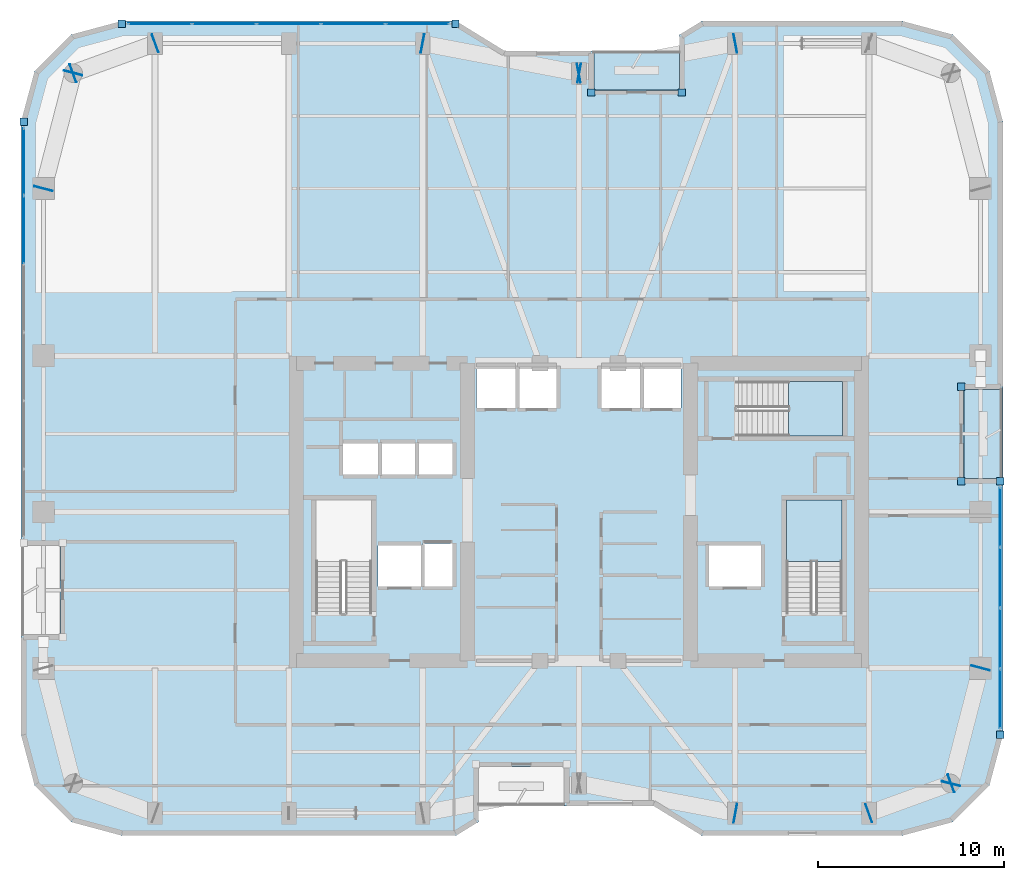
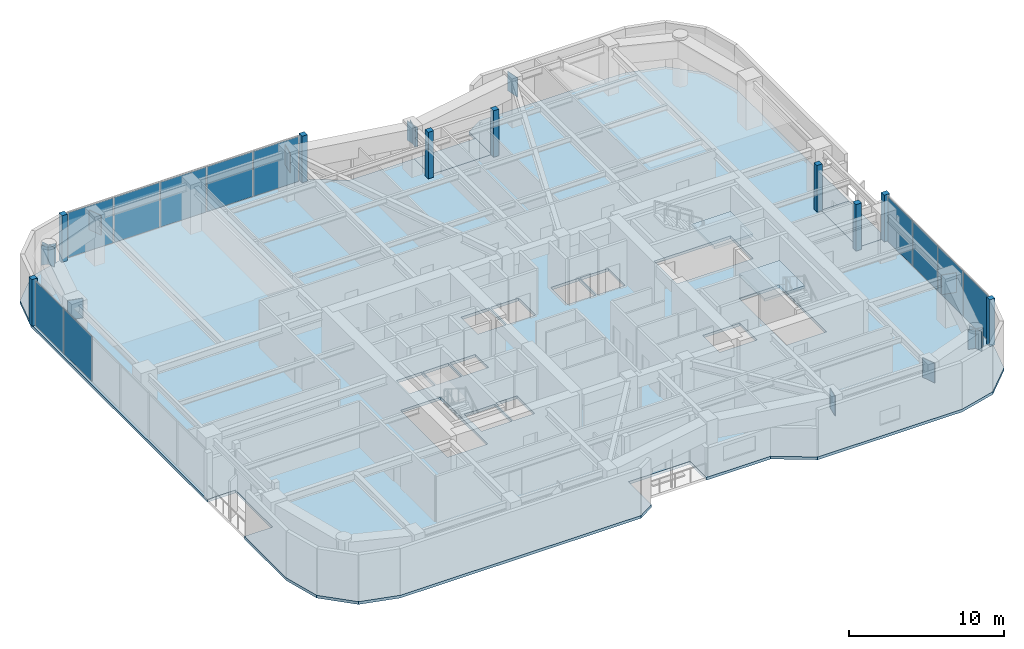
# One storey, part 22 of 30: 33 plates, 5 slabs, 5 elements without a shape of their own.
"""IFC4 building model written with IfcOpenShell, lengths in metres."""

from ifc_helpers import new_model, si_unit, direction, frame, origin, origin_2d, place, context, subcontext, project, spatial, polyline, rectangle, outline, extrude, material, layer, layer_set, type_object, element, aggregate, save


model = new_model("IFC4")

# Units and contexts
model_context = context("Model", 3, precision=1e-05, world=origin(), true_north=direction((0.0, 1.0)))
body_context = subcontext(model_context, "Body", "Model", "MODEL_VIEW")
ifc_project = project(units=[si_unit("LENGTHUNIT", "METRE"), si_unit("AREAUNIT", "SQUARE_METRE"), si_unit("VOLUMEUNIT", "CUBIC_METRE"), si_unit("PLANEANGLEUNIT", "RADIAN"), si_unit("MASSUNIT", "GRAM", prefix="KILO")], contexts=[model_context])

# Site, building, storey
site_placement = place(None, origin())
site = spatial("IfcSite", under=ifc_project, at=site_placement, CompositionType="ELEMENT")
building_placement = place(site_placement, origin())
building = spatial("IfcBuilding", under=site, at=building_placement, Name="Kiyonajd Concourse Tower", CompositionType="ELEMENT")
storey_placement = place(building_placement, frame((0.0, 0.0, 174.0)))
storey = spatial("IfcBuildingStorey", under=building, at=storey_placement, Name="L44", CompositionType="ELEMENT", Elevation=174.0)

# Plates
ifc_material_1 = material(Name="Steel ASTM A572 Grade 50", Category="steel")
ifc_layer_1 = layer(ifc_material_1, 0.031982421875)
ifc_layer_set_1 = layer_set([ifc_layer_1], Name="Steel ASTM A572 Grade 50")
plate_type_1 = type_object("IfcPlateType", Name="PL-CAP-540", PredefinedType="USERDEFINED", material=ifc_layer_set_1)
for number, where, z_axis, x_axis, name in (
    (1, (56.410888671875, 19.7978515625, 2.2099609375), (0.0, 0.0, 1.0), (0.982352599301, -0.187038420242, 0.0), "L44 Welded Box Girder End Cap"),
    (2, (63.589599609375, 19.796142578125, 2.2099609375), (0.0, 0.0, 1.0), (-0.939811951086, -0.341692107891, 0.0), "L44 Welded Box Girder End Cap"),
    (3, (68.01025390625, 21.40380859375, 2.2099609375), (0.0, 0.0, 1.0), (0.939811951086, 0.341692107891, 0.0), "L44 Welded Box Girder End Cap"),
    (4, (67.997314453125, 21.389404296875, 2.2099609375), (0.0, 0.0, 1.0), (-0.249873048837, -0.968278606324, 0.0), "L44 Welded Box Girder End Cap"),
    (5, (69.602783203125, 27.610595703125, 2.2099609375), (0.0, 0.0, 1.0), (0.249873048837, 0.968278606324, 0.0), "L44 Welded Box Girder End Cap"),
    (6, (56.410888671875, 61.2021484375, 2.2099609375), (0.0, 0.0, 1.0), (0.982352599301, 0.187038420242, 0.0), "L44 Welded Box Girder End Cap"),
    (7, (47.9892578125, 59.597900390625, 2.2099609375), (0.0, 0.0, 1.0), (-0.982352599301, -0.187038420242, 0.0), "L44 Welded Box Girder End Cap"),
    (8, (48.0107421875, 59.597900390625, 2.2099609375), (0.0, 0.0, 1.0), (0.982352599301, -0.187038420242, 0.0), "L44 Welded Box Girder End Cap"),
    (9, (39.589111328125, 61.2021484375, 2.2099609375), (0.0, 0.0, 1.0), (-0.982352599301, 0.187038420242, 0.0), "L44 Welded Box Girder End Cap"),
    (10, (25.210205078125, 61.203857421875, 2.2099609375), (0.0, 0.0, 1.0), (0.939811951086, 0.341692107891, 0.0), "L44 Welded Box Girder End Cap"),
    (11, (20.789794921875, 59.59619140625, 2.2099609375), (0.0, 0.0, 1.0), (-0.939811951086, -0.341692107891, 0.0), "L44 Welded Box Girder End Cap"),
    (12, (20.802734375, 59.610595703125, 2.2099609375), (0.0, 0.0, 1.0), (0.249873048837, 0.968278606324, 0.0), "L44 Welded Box Girder End Cap"),
    (13, (19.197265625, 53.389404296875, 2.2099609375), (0.0, 0.0, 1.0), (-0.249873048837, -0.968278606324, 0.0), "L44 Welded Box Girder End Cap"),
):
    element("IfcPlate", number, at=place(storey_placement, frame(where, z_axis=z_axis, x_axis=x_axis)), inside=storey, type_object=plate_type_1, Name=name, ObjectType="CAP PLATE", PredefinedType="USERDEFINED", context=body_context, shape_type="SweptSolid", body=[
        extrude(rectangle(XDim=0.035888671875, YDim=1.02001953125, at=origin_2d()), origin(), (0.0, 0.0, 1.0), 1.5400390625),
    ])

# Curtain wall, plates
ifc_material_2 = material(Name="Thermally Broken Anodised Aluminium", Category="aluminium")
ifc_layer_2 = layer(ifc_material_2, 0.179931640625)
ifc_layer_set_2 = layer_set([ifc_layer_2], Name="Thermally Broken Anodised Aluminium")
curtain_wall_type = type_object("IfcCurtainWallType", Name="CW-SYS-03", PredefinedType="NOTDEFINED", material=ifc_layer_set_2)
curtain_wall_1_placement = place(storey_placement, origin())
curtain_wall_1 = element("IfcCurtainWall", 14, at=curtain_wall_1_placement, inside=storey, type_object=curtain_wall_type, Name="L44 Unitised Curtain Wall CW3", PredefinedType="NOTDEFINED")
ifc_material_3 = material(Name="Double Low-E Insulated Glass", Category="glass")
ifc_layer_3 = layer(ifc_material_3, 0.033935546875)
ifc_layer_set_3 = layer_set([ifc_layer_3], Name="Double Low-E Insulated Glass")
plate_type_2 = type_object("IfcPlateType", Name="PL-CW-VIS34", PredefinedType="CURTAIN_PANEL", material=ifc_layer_set_3)
plate_1_placement = place(storey_placement, frame((18.139892578125, 51.17626953125, 0.06494140625), z_axis=(0.0, 0.0, 1.0), x_axis=(0.0, 1.0, 0.0)))
plate_1 = element("IfcPlate", 15, at=plate_1_placement, type_object=plate_type_2, Name="CW3 panel 5.1", PredefinedType="CURTAIN_PANEL", context=body_context, shape_type="SweptSolid", body=[
    extrude(rectangle(XDim=3.61181640625, YDim=0.033935546875, at=origin_2d()), origin(), (0.0, 0.0, 1.0), 3.550048828125),
])
plate_2_placement = place(storey_placement, frame((18.139892578125, 54.8369140625, 0.06494140625), z_axis=(0.0, 0.0, 1.0), x_axis=(0.0, 1.0, 0.0)))
plate_2 = element("IfcPlate", 16, at=plate_2_placement, type_object=plate_type_2, Name="CW3 panel 6.1", PredefinedType="CURTAIN_PANEL", context=body_context, shape_type="SweptSolid", body=[
    extrude(rectangle(XDim=3.579345703125, YDim=0.033935546875, at=origin_2d()), origin(), (0.0, 0.0, 1.0), 3.550048828125),
])
aggregate(curtain_wall_1, [plate_1, plate_2])

curtain_wall_2_placement = place(storey_placement, origin())
curtain_wall_2 = element("IfcCurtainWall", 17, at=curtain_wall_2_placement, inside=storey, type_object=curtain_wall_type, Name="L44 Unitised Curtain Wall CW3", PredefinedType="NOTDEFINED")
plate_3_placement = place(storey_placement, frame((25.4609375, 62.260009765625, 0.06494140625), z_axis=(0.0, 0.0, 1.0), x_axis=(1.0, 0.0, 0.0)))
plate_3 = element("IfcPlate", 18, at=plate_3_placement, type_object=plate_type_2, Name="CW3 panel 1.1", PredefinedType="CURTAIN_PANEL", context=body_context, shape_type="SweptSolid", body=[
    extrude(rectangle(XDim=3.375, YDim=0.033935546875, at=origin_2d()), origin(), (0.0, 0.0, 1.0), 3.550048828125),
])
plate_4_placement = place(storey_placement, frame((28.9169921875, 62.260009765625, 0.06494140625), z_axis=(0.0, 0.0, 1.0), x_axis=(1.0, 0.0, 0.0)))
plate_4 = element("IfcPlate", 19, at=plate_4_placement, type_object=plate_type_2, Name="CW3 panel 2.1", PredefinedType="CURTAIN_PANEL", context=body_context, shape_type="SweptSolid", body=[
    extrude(rectangle(XDim=3.407470703125, YDim=0.033935546875, at=origin_2d()), origin(), (0.0, 0.0, 1.0), 3.550048828125),
])
plate_5_placement = place(storey_placement, frame((32.389404296875, 62.260009765625, 0.06494140625), z_axis=(0.0, 0.0, 1.0), x_axis=(1.0, 0.0, 0.0)))
plate_5 = element("IfcPlate", 20, at=plate_5_placement, type_object=plate_type_2, Name="CW3 panel 3.1", PredefinedType="CURTAIN_PANEL", context=body_context, shape_type="SweptSolid", body=[
    extrude(rectangle(XDim=3.407470703125, YDim=0.033935546875, at=origin_2d()), origin(), (0.0, 0.0, 1.0), 3.550048828125),
])
plate_6_placement = place(storey_placement, frame((35.86181640625, 62.260009765625, 0.06494140625), z_axis=(0.0, 0.0, 1.0), x_axis=(1.0, 0.0, 0.0)))
plate_6 = element("IfcPlate", 21, at=plate_6_placement, type_object=plate_type_2, Name="CW3 panel 4.1", PredefinedType="CURTAIN_PANEL", context=body_context, shape_type="SweptSolid", body=[
    extrude(rectangle(XDim=3.407470703125, YDim=0.033935546875, at=origin_2d()), origin(), (0.0, 0.0, 1.0), 3.550048828125),
])
plate_7_placement = place(storey_placement, frame((39.31787109375, 62.260009765625, 0.06494140625), z_axis=(0.0, 0.0, 1.0), x_axis=(1.0, 0.0, 0.0)))
plate_7 = element("IfcPlate", 22, at=plate_7_placement, type_object=plate_type_2, Name="CW3 panel 5.1", PredefinedType="CURTAIN_PANEL", context=body_context, shape_type="SweptSolid", body=[
    extrude(rectangle(XDim=3.375, YDim=0.033935546875, at=origin_2d()), origin(), (0.0, 0.0, 1.0), 3.550048828125),
])
aggregate(curtain_wall_2, [plate_3, plate_4, plate_5, plate_6, plate_7])

curtain_wall_3_placement = place(storey_placement, origin())
curtain_wall_3 = element("IfcCurtainWall", 23, at=curtain_wall_3_placement, inside=storey, type_object=curtain_wall_type, Name="L44 Unitised Curtain Wall CW3", PredefinedType="NOTDEFINED")
plate_8_placement = place(storey_placement, frame((70.659912109375, 35.720947265625, 0.06494140625), z_axis=(0.0, 0.0, 1.0), x_axis=(0.0, -1.0, 0.0)))
plate_8 = element("IfcPlate", 24, at=plate_8_placement, type_object=plate_type_2, Name="CW3 panel 1.1", PredefinedType="CURTAIN_PANEL", context=body_context, shape_type="SweptSolid", body=[
    extrude(rectangle(XDim=3.16796875, YDim=0.033935546875, at=origin_2d()), origin(), (0.0, 0.0, 1.0), 3.550048828125),
])
plate_9_placement = place(storey_placement, frame((70.659912109375, 32.471923828125, 0.06494140625), z_axis=(0.0, 0.0, 1.0), x_axis=(0.0, -1.0, 0.0)))
plate_9 = element("IfcPlate", 25, at=plate_9_placement, type_object=plate_type_2, Name="CW3 panel 2.1", PredefinedType="CURTAIN_PANEL", context=body_context, shape_type="SweptSolid", body=[
    extrude(rectangle(XDim=3.200439453125, YDim=0.033935546875, at=origin_2d()), origin(), (0.0, 0.0, 1.0), 3.550048828125),
])
plate_10_placement = place(storey_placement, frame((70.659912109375, 29.20654296875, 0.06494140625), z_axis=(0.0, 0.0, 1.0), x_axis=(0.0, -1.0, 0.0)))
plate_10 = element("IfcPlate", 26, at=plate_10_placement, type_object=plate_type_2, Name="CW3 panel 3.1", PredefinedType="CURTAIN_PANEL", context=body_context, shape_type="SweptSolid", body=[
    extrude(rectangle(XDim=3.200439453125, YDim=0.033935546875, at=origin_2d()), origin(), (0.0, 0.0, 1.0), 3.550048828125),
])
plate_11_placement = place(storey_placement, frame((70.659912109375, 25.957275390625, 0.06494140625), z_axis=(0.0, 0.0, 1.0), x_axis=(0.0, -1.0, 0.0)))
plate_11 = element("IfcPlate", 27, at=plate_11_placement, type_object=plate_type_2, Name="CW3 panel 4.1", PredefinedType="CURTAIN_PANEL", context=body_context, shape_type="SweptSolid", body=[
    extrude(rectangle(XDim=3.16796875, YDim=0.033935546875, at=origin_2d()), origin(), (0.0, 0.0, 1.0), 3.550048828125),
])
aggregate(curtain_wall_3, [plate_8, plate_9, plate_10, plate_11])

# Plates
ifc_layer_4 = layer(ifc_material_2, 0.39990234375)
ifc_layer_set_4 = layer_set([ifc_layer_4], Name="Thermally Broken Anodised Aluminium")
plate_type_3 = type_object("IfcPlateType", Name="PL-JMB-400", PredefinedType="USERDEFINED", material=ifc_layer_set_4)
for number, where, z_axis, x_axis, name in (
    (28, (18.139892578125, 56.981689453125, 0.0), (0.0, 0.0, 1.0), (1.0, 0.0, 0.0), "L44 Facade Jamb Closure Plate 04"),
    (29, (23.41845703125, 62.260009765625, 0.0), (0.0, 0.0, 1.0), (1.0, 0.0, 0.0), "L44 Facade Jamb Closure Plate 05"),
    (30, (41.3603515625, 62.260009765625, 0.0), (0.0, 0.0, 1.0), (1.0, 0.0, 0.0), "L44 Facade Jamb Closure Plate 06"),
    (31, (48.659912109375, 58.56005859375, 0.0), (0.0, 0.0, 1.0), (1.0, 0.0, 0.0), "L44 Facade Jamb Closure Plate 07"),
    (32, (53.5400390625, 58.56005859375, 0.0), (0.0, 0.0, 1.0), (1.0, 0.0, 0.0), "L44 Facade Jamb Closure Plate 08"),
    (33, (68.56005859375, 42.739990234375, 0.0), (0.0, 0.0, 1.0), (1.0, 0.0, 0.0), "L44 Facade Jamb Closure Plate 09"),
    (34, (68.56005859375, 37.659912109375, 0.0), (0.0, 0.0, 1.0), (1.0, 0.0, 0.0), "L44 Facade Jamb Closure Plate 10"),
    (35, (70.659912109375, 37.659912109375, 0.0), (0.0, 0.0, 1.0), (1.0, 0.0, 0.0), "L44 Facade Jamb Closure Plate 11"),
    (36, (70.659912109375, 24.018310546875, 0.0), (0.0, 0.0, 1.0), (1.0, 0.0, 0.0), "L44 Facade Jamb Closure Plate 12"),
):
    element("IfcPlate", number, at=place(storey_placement, frame(where, z_axis=z_axis, x_axis=x_axis)), inside=storey, type_object=plate_type_3, Name=name, ObjectType="JAMB PLATE", PredefinedType="USERDEFINED", context=body_context, shape_type="SweptSolid", body=[
        extrude(rectangle(XDim=0.39990234375, YDim=0.39990234375, at=origin_2d()), origin(), (0.0, 0.0, 1.0), 3.679931640625),
    ])

# Stair, slab
ifc_material_4 = material(Name="Concrete C40/50", Category="concrete")
stair_type = type_object("IfcStairType", Name="ST-DLG-22R", PredefinedType="HALF_TURN_STAIR", material=ifc_material_4)
stair_1_placement = place(storey_placement, origin())
stair_1 = element("IfcStair", 37, at=stair_1_placement, inside=storey, type_object=stair_type, Name="L44 Protected Exit Stair ST2", PredefinedType="HALF_TURN_STAIR")
ifc_layer_5 = layer(ifc_material_4, 0.199951171875)
ifc_layer_set_5 = layer_set([ifc_layer_5], Name="Concrete C40/50")
slab_type_1 = type_object("IfcSlabType", Name="SL-LND-200", PredefinedType="LANDING", material=ifc_layer_set_5)
slab_1_placement = place(storey_placement, frame((0.0, 0.0, 1.75)))
slab_1 = element("IfcSlab", 38, at=slab_1_placement, type_object=slab_type_1, Name="ST2 landing 1", PredefinedType="LANDING", context=body_context, shape_type="SweptSolid", body=[
    extrude(outline(polyline([(62.14990234375, 33.35009765625), (62.14990234375, 36.64990234375), (59.14990234375, 36.64990234375), (59.14990234375, 33.35009765625), (62.14990234375, 33.35009765625)])), origin(), (0.0, 0.0, 1.0), 0.199951171875),
])
aggregate(stair_1, [slab_1])

stair_2_placement = place(storey_placement, origin())
stair_2 = element("IfcStair", 39, at=stair_2_placement, inside=storey, type_object=stair_type, Name="L44 Protected Exit Stair ST3", PredefinedType="HALF_TURN_STAIR")
slab_2_placement = place(storey_placement, frame((0.0, 0.0, 1.75)))
slab_2 = element("IfcSlab", 40, at=slab_2_placement, type_object=slab_type_1, Name="ST3 landing 1", PredefinedType="LANDING", context=body_context, shape_type="SweptSolid", body=[
    extrude(outline(polyline([(59.280029296875, 40.080078125), (62.179931640625, 40.080078125), (62.179931640625, 43.02001953125), (59.280029296875, 43.02001953125), (59.280029296875, 40.080078125)])), origin(), (0.0, 0.0, 1.0), 0.199951171875),
])
aggregate(stair_2, [slab_2])

# Slabs
ifc_material_5 = material(Name="Precast concrete C50/60", Category="concrete")
ifc_layer_6 = layer(ifc_material_5, 0.199951171875)
ifc_layer_set_6 = layer_set([ifc_layer_6], Name="Precast concrete C50/60")
slab_type_2 = type_object("IfcSlabType", Name="SL-LOG-200", PredefinedType="FLOOR", material=ifc_layer_set_6)
slab_3_placement = place(storey_placement, frame((0.0, 0.0, -0.199951171875)))
element("IfcSlab", 41, at=slab_3_placement, inside=storey, type_object=slab_type_2, Name="L44 Recessed Engawa Loggia Terrace Slab LOG-N", PredefinedType="FLOOR", context=body_context, shape_type="SweptSolid", body=[
    extrude(outline(polyline([(48.800048828125, 58.699951171875), (53.39990234375, 58.699951171875), (53.39990234375, 60.800048828125), (48.800048828125, 60.800048828125), (48.800048828125, 58.699951171875)])), origin(), (0.0, 0.0, 1.0), 0.199951171875),
])
slab_4_placement = place(storey_placement, frame((0.0, 0.0, -0.199951171875)))
element("IfcSlab", 42, at=slab_4_placement, inside=storey, type_object=slab_type_2, Name="L44 Recessed Engawa Loggia Terrace Slab LOG-E", PredefinedType="FLOOR", context=body_context, shape_type="SweptSolid", body=[
    extrude(outline(polyline([(68.699951171875, 37.800048828125), (70.800048828125, 37.800048828125), (70.800048828125, 42.60009765625), (68.699951171875, 42.60009765625), (68.699951171875, 37.800048828125)])), origin(), (0.0, 0.0, 1.0), 0.199951171875),
])
ifc_layer_7 = layer(ifc_material_4, 0.219970703125)
ifc_layer_set_7 = layer_set([ifc_layer_7], Name="Concrete C40/50")
slab_type_3 = type_object("IfcSlabType", Name="SL-TWR-220", PredefinedType="FLOOR", material=ifc_layer_set_7)
slab_5_placement = place(storey_placement, frame((0.0, 0.0, -0.219970703125)))
element("IfcSlab", 43, at=slab_5_placement, inside=storey, type_object=slab_type_3, Name="L44 Tower Conditioned Floor Slab", PredefinedType="FLOOR", context=body_context, shape_type="SweptSolid", body=[
    extrude(outline(polyline([(18.722900390625, 21.300048828125), (18.0, 24.0), (18.0, 29.39990234375), (20.10009765625, 29.39990234375), (20.10009765625, 34.199951171875), (18.0, 34.199951171875), (18.0, 57.0), (18.722900390625, 59.699951171875), (20.699951171875, 61.677001953125), (23.39990234375, 62.39990234375), (41.39990234375, 62.39990234375), (44.0, 60.800048828125), (48.800048828125, 60.800048828125), (48.800048828125, 58.699951171875), (53.39990234375, 58.699951171875), (53.39990234375, 61.662109375), (54.60009765625, 62.39990234375), (65.39990234375, 62.39990234375), (68.10009765625, 61.677001953125), (70.076904296875, 59.699951171875), (70.800048828125, 57.0), (70.800048828125, 42.60009765625), (68.699951171875, 42.60009765625), (68.699951171875, 37.800048828125), (70.800048828125, 37.800048828125), (70.800048828125, 24.0), (70.076904296875, 21.300048828125), (68.10009765625, 19.322998046875), (65.39990234375, 18.60009765625), (54.60009765625, 18.60009765625), (52.0, 20.199951171875), (47.199951171875, 20.199951171875), (47.199951171875, 22.300048828125), (42.60009765625, 22.300048828125), (42.60009765625, 19.337890625), (41.39990234375, 18.60009765625), (23.39990234375, 18.60009765625), (20.699951171875, 19.322998046875), (18.722900390625, 21.300048828125)]), holes=[polyline([(39.5, 32.0), (37.199951171875, 32.0), (37.199951171875, 34.199951171875), (39.5, 34.199951171875), (39.5, 32.0)]), polyline([(39.60009765625, 32.0), (39.60009765625, 34.300048828125), (41.199951171875, 34.300048828125), (41.199951171875, 32.0), (39.60009765625, 32.0)]), polyline([(33.85009765625, 30.550048828125), (33.85009765625, 36.64990234375), (36.85009765625, 36.64990234375), (36.85009765625, 30.550048828125), (33.85009765625, 30.550048828125)]), polyline([(37.199951171875, 38.0), (35.300048828125, 38.0), (35.300048828125, 39.699951171875), (37.199951171875, 39.699951171875), (37.199951171875, 38.0)]), polyline([(37.300048828125, 38.0), (37.300048828125, 39.699951171875), (39.199951171875, 39.699951171875), (39.199951171875, 38.0), (37.300048828125, 38.0)]), polyline([(39.300048828125, 38.0), (39.300048828125, 39.699951171875), (41.199951171875, 39.699951171875), (41.199951171875, 38.0), (39.300048828125, 38.0)]), polyline([(44.60009765625, 41.60009765625), (42.5, 41.60009765625), (42.5, 43.800048828125), (44.60009765625, 43.800048828125), (44.60009765625, 41.60009765625)]), polyline([(55.0, 32.0), (55.0, 34.199951171875), (57.800048828125, 34.199951171875), (57.800048828125, 32.0), (55.0, 32.0)]), polyline([(59.14990234375, 30.550048828125), (59.14990234375, 36.64990234375), (62.14990234375, 36.64990234375), (62.14990234375, 30.550048828125), (59.14990234375, 30.550048828125)]), polyline([(56.47998046875, 43.02001953125), (62.179931640625, 43.02001953125), (62.179931640625, 40.080078125), (56.47998046875, 40.080078125), (56.47998046875, 43.02001953125)]), polyline([(44.699951171875, 41.60009765625), (44.699951171875, 43.800048828125), (46.800048828125, 43.800048828125), (46.800048828125, 41.60009765625), (44.699951171875, 41.60009765625)]), polyline([(49.199951171875, 41.60009765625), (49.199951171875, 43.800048828125), (51.300048828125, 43.800048828125), (51.300048828125, 41.60009765625), (49.199951171875, 41.60009765625)]), polyline([(51.39990234375, 41.60009765625), (51.39990234375, 43.800048828125), (53.5, 43.800048828125), (53.5, 41.60009765625), (51.39990234375, 41.60009765625)])]), origin(), (0.0, 0.0, 1.0), 0.219970703125),
])

save(model, "model.ifc")
